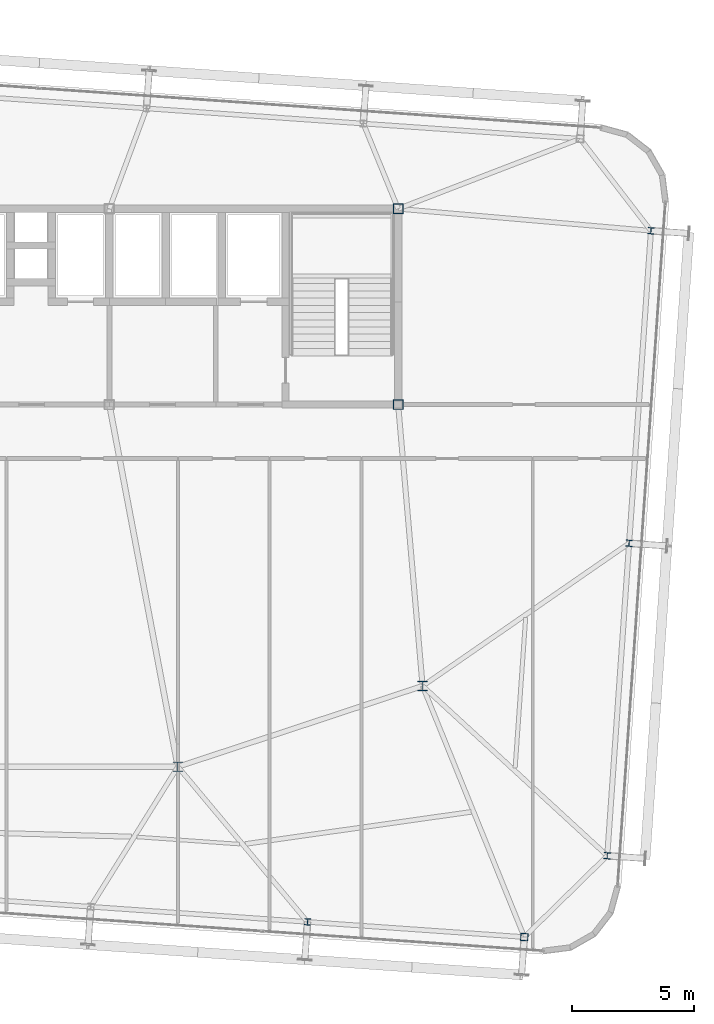
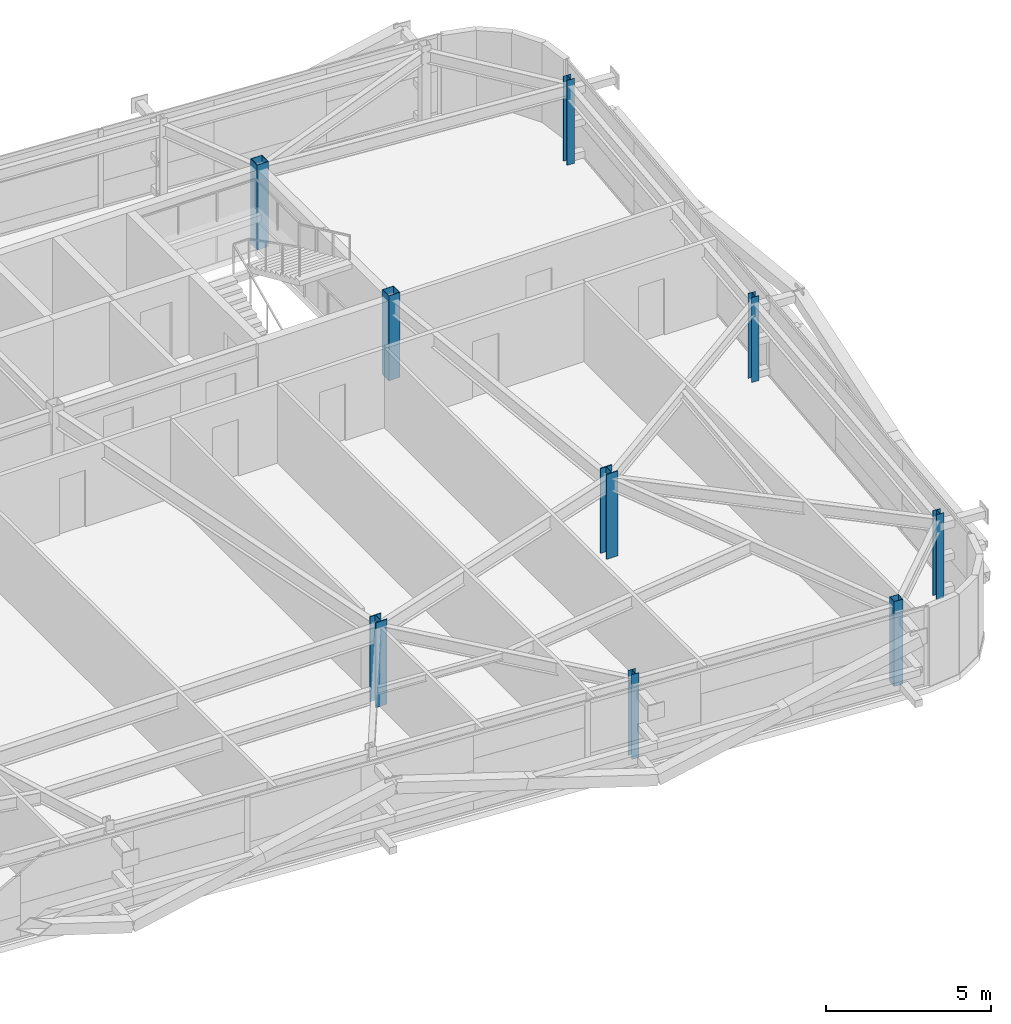
# One storey, part 3 of 39: 9 columns.
"""IFC4 building model written with IfcOpenShell, lengths in metres."""

from ifc_helpers import new_model, si_unit, direction, frame, origin, origin_2d, place, context, subcontext, project, spatial, hollow_rectangle, i_section, extrude, source, transform, mapped, material, material_profile, profile_set, type_object, element, save


model = new_model("IFC4")

# Units and contexts
model_context = context("Model", 3, precision=1e-05, world=origin(), true_north=direction((0.0, 1.0)))
body_context = subcontext(model_context, "Body", "Model", "MODEL_VIEW")
ifc_project = project(units=[si_unit("LENGTHUNIT", "METRE"), si_unit("AREAUNIT", "SQUARE_METRE"), si_unit("VOLUMEUNIT", "CUBIC_METRE"), si_unit("PLANEANGLEUNIT", "RADIAN"), si_unit("MASSUNIT", "GRAM", prefix="KILO")], contexts=[model_context])

# Site, building, storey
site_placement = place(None, origin())
site = spatial("IfcSite", under=ifc_project, at=site_placement, CompositionType="ELEMENT")
building_placement = place(site_placement, origin())
building = spatial("IfcBuilding", under=site, at=building_placement, Name="Taldren Reach Tower", CompositionType="ELEMENT")
storey_placement = place(building_placement, frame((0.0, 0.0, 151.89990234375)))
storey = spatial("IfcBuildingStorey", under=building, at=storey_placement, Name="L46", CompositionType="ELEMENT", Elevation=151.89990234375)

# Columns
ifc_material_1 = material(Name="Steel Gr 350 (350PLUS)", Category="steel")
ifc_material_profile_1 = material_profile(ifc_material_1, i_section(OverallWidth=0.39990234375, OverallDepth=0.39599609375, WebThickness=0.02197265625, FlangeThickness=0.033935546875, at=origin_2d()), Name="400WC270")
ifc_profile_set_1 = profile_set([ifc_material_profile_1], Name="Steel Gr 350 (350PLUS)")
column_type_1 = type_object("IfcColumnType", Name="COL-WC400", PredefinedType="COLUMN", material=ifc_profile_set_1)
shared_shape_1 = source(origin(), body_context, "Body", "SweptSolid", [
    extrude(i_section(OverallWidth=0.39990234375, OverallDepth=0.39599609375, WebThickness=0.02197265625, FlangeThickness=0.033935546875, at=origin_2d()), origin(), (0.0, 0.0, 1.0), 3.150146484375),
])
for number, where, z_axis, x_axis, name in (
    (1, (42.0, 9.199951171875, 0.0), (0.0, 0.0, 1.0), (1.0, 0.0, 0.0), "Mega column MC-PJE L46"),
    (2, (52.0, 12.5, 0.0), (0.0, 0.0, 1.0), (1.0, 0.0, 0.0), "Mega column MC-SE L46"),
):
    element("IfcColumn", number, at=place(storey_placement, frame(where, z_axis=z_axis, x_axis=x_axis)), inside=storey, type_object=column_type_1, Name=name, PredefinedType="COLUMN", context=body_context, shape_type="MappedRepresentation", body=[
        mapped(shared_shape_1, transform((0.0, 0.0, 0.0), scale=1.0)),
    ])
ifc_material_2 = material(Name="Steel Gr 450 (C450L0)", Category="steel")
ifc_material_profile_2 = material_profile(ifc_material_2, hollow_rectangle(XDim=0.39990234375, YDim=0.39990234375, WallThickness=0.01611328125, at=origin_2d()), Name="400x400x16.0SHS")
ifc_profile_set_2 = profile_set([ifc_material_profile_2], Name="Steel Gr 450 (C450L0)")
column_type_2 = type_object("IfcColumnType", Name="COL-SHS400", PredefinedType="COLUMN", material=ifc_profile_set_2)
shared_shape_2 = source(origin(), body_context, "Body", "SweptSolid", [
    extrude(hollow_rectangle(XDim=0.39990234375, YDim=0.39990234375, WallThickness=0.01611328125, at=origin_2d()), origin(), (0.0, 0.0, 1.0), 3.150146484375),
])
for number, where, z_axis, x_axis, name in (
    (3, (51.0, 24.0, 0.0), (0.0, 0.0, 1.0), (1.0, 0.0, 0.0), "Mega column MC-C4 L46"),
    (4, (51.0, 32.0, 0.0), (0.0, 0.0, 1.0), (1.0, 0.0, 0.0), "Mega column MC-C8 L46"),
):
    element("IfcColumn", number, at=place(storey_placement, frame(where, z_axis=z_axis, x_axis=x_axis)), inside=storey, type_object=column_type_2, Name=name, PredefinedType="COLUMN", context=body_context, shape_type="MappedRepresentation", body=[
        mapped(shared_shape_2, transform((0.0, 0.0, 0.0), scale=1.0)),
    ])
ifc_material_profile_3 = material_profile(ifc_material_2, hollow_rectangle(XDim=0.300048828125, YDim=0.300048828125, WallThickness=0.012451171875, at=origin_2d()), Name="300x300x12.5SHS")
ifc_profile_set_3 = profile_set([ifc_material_profile_3], Name="Steel Gr 450 (C450L0)")
column_type_3 = type_object("IfcColumnType", Name="COL-SHS300", PredefinedType="COLUMN", material=ifc_profile_set_3)
shared_shape_3 = source(origin(), body_context, "Body", "SweptSolid", [
    extrude(hollow_rectangle(XDim=0.300048828125, YDim=0.300048828125, WallThickness=0.012451171875, at=origin_2d()), origin(), (0.0, 0.0, 1.0), 3.150146484375),
])
column_placement = place(storey_placement, frame((56.155517578125, 2.2412109375, 0.0), z_axis=(0.0, 0.0, 1.0), x_axis=(0.99756405026, -0.069756473744, 0.0)))
element("IfcColumn", 5, at=column_placement, inside=storey, type_object=column_type_3, Name="Block B3 perimeter column S6 L46", PredefinedType="COLUMN", context=body_context, shape_type="MappedRepresentation", body=[
    mapped(shared_shape_3, transform((0.0, 0.0, 0.0), scale=1.0)),
])
ifc_material_profile_4 = material_profile(ifc_material_1, i_section(OverallWidth=0.256103515625, OverallDepth=0.260009765625, WebThickness=0.010498046875, FlangeThickness=0.017333984375, at=origin_2d()), Name="250UC89.5")
ifc_profile_set_4 = profile_set([ifc_material_profile_4], Name="Steel Gr 350 (350PLUS)")
column_type_4 = type_object("IfcColumnType", Name="COL-UC250", PredefinedType="COLUMN", material=ifc_profile_set_4)
shared_shape_4 = source(origin(), body_context, "Body", "SweptSolid", [
    extrude(i_section(OverallWidth=0.256103515625, OverallDepth=0.260009765625, WebThickness=0.010498046875, FlangeThickness=0.017333984375, at=origin_2d()), origin(), (0.0, 0.0, 1.0), 3.150146484375),
])
for number, where, z_axis, x_axis, name in (
    (6, (47.297119140625, 2.860595703125, 0.0), (0.0, 0.0, 1.0), (0.99756405026, -0.069756473744, 0.0), "Block B3 perimeter column S5 L46"),
    (7, (59.54541015625, 5.562744140625, 0.0), (0.0, 0.0, 1.0), (0.99756405026, -0.069756473744, 0.0), "Block B3 perimeter column E1 L46"),
    (8, (60.438232421875, 18.331787109375, 0.0), (0.0, 0.0, 1.0), (0.99756405026, -0.069756473744, 0.0), "Block B3 perimeter column E2 L46"),
    (9, (61.3310546875, 31.1005859375, 0.0), (0.0, 0.0, 1.0), (0.99756405026, -0.069756473744, 0.0), "Block B3 perimeter column E3 L46"),
):
    element("IfcColumn", number, at=place(storey_placement, frame(where, z_axis=z_axis, x_axis=x_axis)), inside=storey, type_object=column_type_4, Name=name, PredefinedType="COLUMN", context=body_context, shape_type="MappedRepresentation", body=[
        mapped(shared_shape_4, transform((0.0, 0.0, 0.0), scale=1.0)),
    ])

save(model, "model.ifc")
